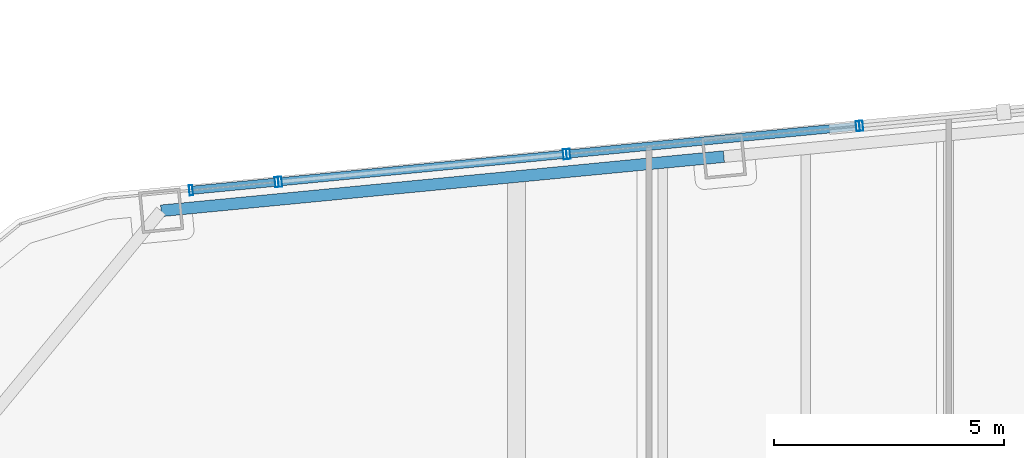
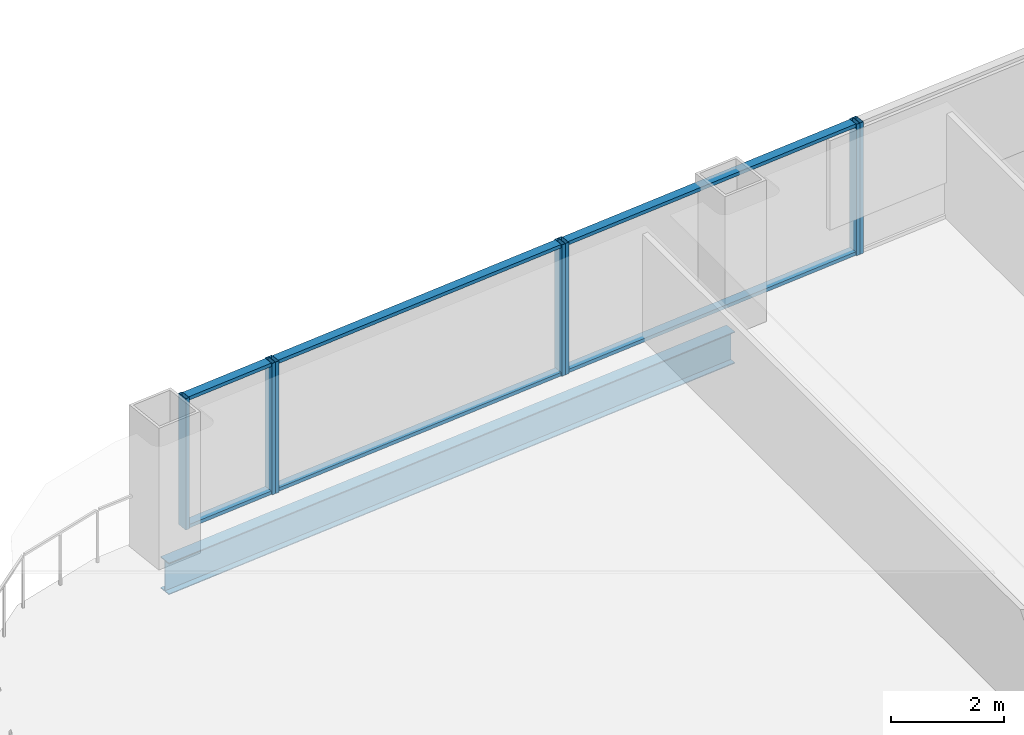
# One storey, part 17 of 28: 13 members, 1 beam, 4 elements without a shape of their own.
"""IFC4 building model written with IfcOpenShell, lengths in metres."""

from ifc_helpers import new_model, si_unit, direction, frame, origin, origin_2d, place, context, subcontext, project, spatial, hollow_rectangle, i_section, extrude, material, layer, layer_set, material_profile, profile_set, type_object, element, aggregate, save


model = new_model("IFC4")

# Units and contexts
model_context = context("Model", 3, precision=1e-05, world=origin(), true_north=direction((0.0, 1.0)))
body_context = subcontext(model_context, "Body", "Model", "MODEL_VIEW")
ifc_project = project(units=[si_unit("LENGTHUNIT", "METRE"), si_unit("AREAUNIT", "SQUARE_METRE"), si_unit("VOLUMEUNIT", "CUBIC_METRE"), si_unit("PLANEANGLEUNIT", "RADIAN"), si_unit("MASSUNIT", "GRAM", prefix="KILO")], contexts=[model_context])

# Site, building, storey
site_placement = place(None, origin())
site = spatial("IfcSite", under=ifc_project, at=site_placement, CompositionType="ELEMENT")
building_placement = place(site_placement, origin())
building = spatial("IfcBuilding", under=site, at=building_placement, Name="Qhalaya Broadcast Tower", CompositionType="ELEMENT")
storey_placement = place(building_placement, frame((0.0, 0.0, 90.800048828125)))
storey = spatial("IfcBuildingStorey", under=building, at=storey_placement, Name="L26", CompositionType="ELEMENT", Elevation=90.800048828125)

# Beam
ifc_material_1 = material(Name="Structural Steel ASTM A992 Grade 50", Category="steel")
ifc_material_profile_1 = material_profile(ifc_material_1, i_section(OverallWidth=0.25390625, OverallDepth=0.68310546875, WebThickness=0.012451171875, FlangeThickness=0.01904296875, at=origin_2d()), Name="W27X94")
ifc_profile_set_1 = profile_set([ifc_material_profile_1], Name="Structural Steel ASTM A992 Grade 50")
beam_type = type_object("IfcBeamType", Name="Perimeter Ring Spandrel Beam SP1", PredefinedType="SPANDREL", material=ifc_profile_set_1)
beam_placement = place(storey_placement, frame((-4.875, 26.941162109375, -0.5615234375), z_axis=(-0.99539563662, -0.095851586307, 0.0), x_axis=(0.095851586307, -0.99539563662, 0.0)))
element("IfcBeam", 1, at=beam_placement, inside=storey, type_object=beam_type, Name="L26 SP1 L26-SPR-11", PredefinedType="SPANDREL", context=body_context, shape_type="SweptSolid", body=[
    extrude(i_section(OverallWidth=0.25390625, OverallDepth=0.68310546875, WebThickness=0.012451171875, FlangeThickness=0.01904296875, at=origin_2d()), origin(), (0.0, 0.0, 1.0), 12.2666015625),
])

# Curtain wall, member
ifc_material_2 = material(Name="Fired Architectural Terracotta", Category="masonry")
ifc_layer_1 = layer(ifc_material_2, 0.219970703125, Name="Fired Architectural Terracotta")
ifc_layer_set_1 = layer_set([ifc_layer_1], Name="Fired Architectural Terracotta")
curtain_wall_type_1 = type_object("IfcCurtainWallType", Name="Block-Cap Unitised Terracotta Spandrel Wall CW-07", PredefinedType="NOTDEFINED", material=ifc_layer_set_1)
curtain_wall_1_placement = place(storey_placement, origin())
curtain_wall_1 = element("IfcCurtainWall", 2, at=curtain_wall_1_placement, inside=storey, type_object=curtain_wall_type_1, Name="L26 Unitised Curtain Wall L26-CW-N4", PredefinedType="NOTDEFINED")
ifc_material_3 = material(Name="Anodised Aluminium 6063-T6", Category="aluminium")
ifc_material_profile_2 = material_profile(ifc_material_3, hollow_rectangle(XDim=0.074951171875, YDim=0.219970703125, WallThickness=0.00390625, at=origin_2d()), Name="ALU-MUL 75x220x4")
ifc_profile_set_2 = profile_set([ifc_material_profile_2], Name="Anodised Aluminium 6063-T6")
member_type_1 = type_object("IfcMemberType", Name="Unitised Curtain-Wall Mullion M01", PredefinedType="MULLION", material=ifc_profile_set_2)
member_1_placement = place(storey_placement, frame((-1.8955078125, 27.60986328125, 0.0), z_axis=(0.0, 0.0, 1.0), x_axis=(-0.995394756218, -0.095860728627, 0.0)))
member_1 = element("IfcMember", 3, at=member_1_placement, type_object=member_type_1, Name="CW-07 mullion 2", PredefinedType="MULLION", context=body_context, shape_type="SweptSolid", body=[
    extrude(hollow_rectangle(XDim=0.074951171875, YDim=0.219970703125, WallThickness=0.00390625, at=origin_2d()), origin(), (0.0, 0.0, 1.0), 2.829833984375),
])
aggregate(curtain_wall_1, [member_1])

# Curtain wall, members
ifc_material_4 = material(Name="Solar-Control Low-E Triple Glazing", Category="glass")
ifc_layer_2 = layer(ifc_material_4, 0.219970703125, Name="Solar-Control Low-E Triple Glazing")
ifc_layer_set_2 = layer_set([ifc_layer_2], Name="Solar-Control Low-E Triple Glazing")
curtain_wall_type_2 = type_object("IfcCurtainWallType", Name="Even-Block 4-Storey Double-Module Curtain Wall CW-03", PredefinedType="NOTDEFINED", material=ifc_layer_set_2)
curtain_wall_2_placement = place(storey_placement, origin())
curtain_wall_2 = element("IfcCurtainWall", 4, at=curtain_wall_2_placement, inside=storey, type_object=curtain_wall_type_2, Name="L26 Unitised Curtain Wall L26-CW-N5", PredefinedType="NOTDEFINED")
member_2_placement = place(storey_placement, frame((-1.97021484375, 27.6025390625, 0.0), z_axis=(0.0, 0.0, 1.0), x_axis=(-0.99539731409, -0.095834164588, 0.0)))
member_2 = element("IfcMember", 5, at=member_2_placement, type_object=member_type_1, Name="CW-03 mullion 1", PredefinedType="MULLION", context=body_context, shape_type="SweptSolid", body=[
    extrude(hollow_rectangle(XDim=0.074951171875, YDim=0.219970703125, WallThickness=0.00390625, at=origin_2d()), origin(), (0.0, 0.0, 1.0), 2.829833984375),
])
member_3_placement = place(storey_placement, frame((-8.2509765625, 26.997802734375, 0.0), z_axis=(0.0, 0.0, 1.0), x_axis=(-0.99539731409, -0.095834164588, 0.0)))
member_3 = element("IfcMember", 6, at=member_3_placement, type_object=member_type_1, Name="CW-03 mullion 2", PredefinedType="MULLION", context=body_context, shape_type="SweptSolid", body=[
    extrude(hollow_rectangle(XDim=0.074951171875, YDim=0.219970703125, WallThickness=0.00390625, at=origin_2d()), origin(), (0.0, 0.0, 1.0), 2.829833984375),
])

curtain_wall_3_placement = place(storey_placement, origin())
curtain_wall_3 = element("IfcCurtainWall", 7, at=curtain_wall_3_placement, inside=storey, type_object=curtain_wall_type_1, Name="L26 Unitised Curtain Wall L26-CW-N6", PredefinedType="NOTDEFINED")
member_4_placement = place(storey_placement, frame((-8.32568359375, 26.99072265625, 0.0), z_axis=(0.0, 0.0, 1.0), x_axis=(-0.995394812364, -0.095860145627, 0.0)))
member_4 = element("IfcMember", 8, at=member_4_placement, type_object=member_type_1, Name="CW-07 mullion 1", PredefinedType="MULLION", context=body_context, shape_type="SweptSolid", body=[
    extrude(hollow_rectangle(XDim=0.074951171875, YDim=0.219970703125, WallThickness=0.00390625, at=origin_2d()), origin(), (0.0, 0.0, 1.0), 2.829833984375),
])
member_5_placement = place(storey_placement, frame((-14.503173828125, 26.395751953125, 0.0), z_axis=(0.0, 0.0, 1.0), x_axis=(-0.995394812364, -0.095860145627, 0.0)))
member_5 = element("IfcMember", 9, at=member_5_placement, type_object=member_type_1, Name="CW-07 mullion 2", PredefinedType="MULLION", context=body_context, shape_type="SweptSolid", body=[
    extrude(hollow_rectangle(XDim=0.074951171875, YDim=0.219970703125, WallThickness=0.00390625, at=origin_2d()), origin(), (0.0, 0.0, 1.0), 2.829833984375),
])

curtain_wall_4_placement = place(storey_placement, origin())
curtain_wall_4 = element("IfcCurtainWall", 10, at=curtain_wall_4_placement, inside=storey, type_object=curtain_wall_type_2, Name="L26 Unitised Curtain Wall L26-CW-N7", PredefinedType="NOTDEFINED")
member_6_placement = place(storey_placement, frame((-14.577880859375, 26.388671875, 0.0), z_axis=(0.0, 0.0, 1.0), x_axis=(-0.99539780127, -0.095829104278, 0.0)))
member_6 = element("IfcMember", 11, at=member_6_placement, type_object=member_type_1, Name="CW-03 mullion 1", PredefinedType="MULLION", context=body_context, shape_type="SweptSolid", body=[
    extrude(hollow_rectangle(XDim=0.074951171875, YDim=0.219970703125, WallThickness=0.00390625, at=origin_2d()), origin(), (0.0, 0.0, 1.0), 2.829833984375),
])
member_7_placement = place(storey_placement, frame((-16.437255859375, 26.20947265625, 0.0), z_axis=(0.0, 0.0, 1.0), x_axis=(-0.99539780127, -0.095829104278, 0.0)))
member_7 = element("IfcMember", 12, at=member_7_placement, type_object=member_type_1, Name="CW-03 mullion 2", PredefinedType="MULLION", context=body_context, shape_type="SweptSolid", body=[
    extrude(hollow_rectangle(XDim=0.074951171875, YDim=0.219970703125, WallThickness=0.00390625, at=origin_2d()), origin(), (0.0, 0.0, 1.0), 2.829833984375),
])

# Member
ifc_material_profile_3 = material_profile(ifc_material_3, hollow_rectangle(XDim=0.074951171875, YDim=0.179931640625, WallThickness=0.00390625, at=origin_2d()), Name="ALU-TRN 75x180x4")
ifc_profile_set_3 = profile_set([ifc_material_profile_3], Name="Anodised Aluminium 6063-T6")
member_type_2 = type_object("IfcMemberType", Name="Unitised Curtain-Wall Transom T01", PredefinedType="USERDEFINED", material=ifc_profile_set_3)
member_8_placement = place(storey_placement, frame((-2.007568359375, 27.59912109375, 0.037353515625), z_axis=(-0.995395316305, -0.095854912644, 0.0), x_axis=(0.0, 0.0, 1.0)))
member_8 = element("IfcMember", 13, at=member_8_placement, type_object=member_type_2, Name="CW-03 transom 1.1", ObjectType="TRANSOM", PredefinedType="USERDEFINED", context=body_context, shape_type="SweptSolid", body=[
    extrude(hollow_rectangle(XDim=0.074951171875, YDim=0.179931640625, WallThickness=0.00390625, at=origin_2d()), origin(), (0.0, 0.0, 1.0), 6.235107421875),
])

member_9_placement = place(storey_placement, frame((-2.007568359375, 27.59912109375, 2.79248046875), z_axis=(-0.995395316305, -0.095854912644, 0.0), x_axis=(0.0, 0.0, 1.0)))
member_9 = element("IfcMember", 14, at=member_9_placement, type_object=member_type_2, Name="CW-03 transom 1.2", ObjectType="TRANSOM", PredefinedType="USERDEFINED", context=body_context, shape_type="SweptSolid", body=[
    extrude(hollow_rectangle(XDim=0.074951171875, YDim=0.179931640625, WallThickness=0.00390625, at=origin_2d()), origin(), (0.0, 0.0, 1.0), 6.235107421875),
])

aggregate(curtain_wall_2, [member_2, member_3, member_8, member_9])

member_10_placement = place(storey_placement, frame((-8.363037109375, 26.987060546875, 0.037353515625), z_axis=(-0.995395960306, -0.095848224845, 0.0), x_axis=(0.0, 0.0, 1.0)))
member_10 = element("IfcMember", 15, at=member_10_placement, type_object=member_type_2, Name="CW-07 transom 1.1", ObjectType="TRANSOM", PredefinedType="USERDEFINED", context=body_context, shape_type="SweptSolid", body=[
    extrude(hollow_rectangle(XDim=0.074951171875, YDim=0.179931640625, WallThickness=0.00390625, at=origin_2d()), origin(), (0.0, 0.0, 1.0), 6.131103515625),
])

member_11_placement = place(storey_placement, frame((-8.363037109375, 26.987060546875, 2.79248046875), z_axis=(-0.995395960306, -0.095848224845, 0.0), x_axis=(0.0, 0.0, 1.0)))
member_11 = element("IfcMember", 16, at=member_11_placement, type_object=member_type_2, Name="CW-07 transom 1.2", ObjectType="TRANSOM", PredefinedType="USERDEFINED", context=body_context, shape_type="SweptSolid", body=[
    extrude(hollow_rectangle(XDim=0.074951171875, YDim=0.179931640625, WallThickness=0.00390625, at=origin_2d()), origin(), (0.0, 0.0, 1.0), 6.131103515625),
])

aggregate(curtain_wall_3, [member_4, member_5, member_10, member_11])

member_12_placement = place(storey_placement, frame((-14.615234375, 26.385009765625, 0.037353515625), z_axis=(-0.995394547598, -0.095862894871, 0.0), x_axis=(0.0, 0.0, 1.0)))
member_12 = element("IfcMember", 17, at=member_12_placement, type_object=member_type_2, Name="CW-03 transom 1.1", ObjectType="TRANSOM", PredefinedType="USERDEFINED", context=body_context, shape_type="SweptSolid", body=[
    extrude(hollow_rectangle(XDim=0.074951171875, YDim=0.179931640625, WallThickness=0.00390625, at=origin_2d()), origin(), (0.0, 0.0, 1.0), 1.79296875),
])

member_13_placement = place(storey_placement, frame((-14.615234375, 26.385009765625, 2.79248046875), z_axis=(-0.995394547598, -0.095862894871, 0.0), x_axis=(0.0, 0.0, 1.0)))
member_13 = element("IfcMember", 18, at=member_13_placement, type_object=member_type_2, Name="CW-03 transom 1.2", ObjectType="TRANSOM", PredefinedType="USERDEFINED", context=body_context, shape_type="SweptSolid", body=[
    extrude(hollow_rectangle(XDim=0.074951171875, YDim=0.179931640625, WallThickness=0.00390625, at=origin_2d()), origin(), (0.0, 0.0, 1.0), 1.79296875),
])

aggregate(curtain_wall_4, [member_6, member_7, member_12, member_13])

save(model, "model.ifc")
